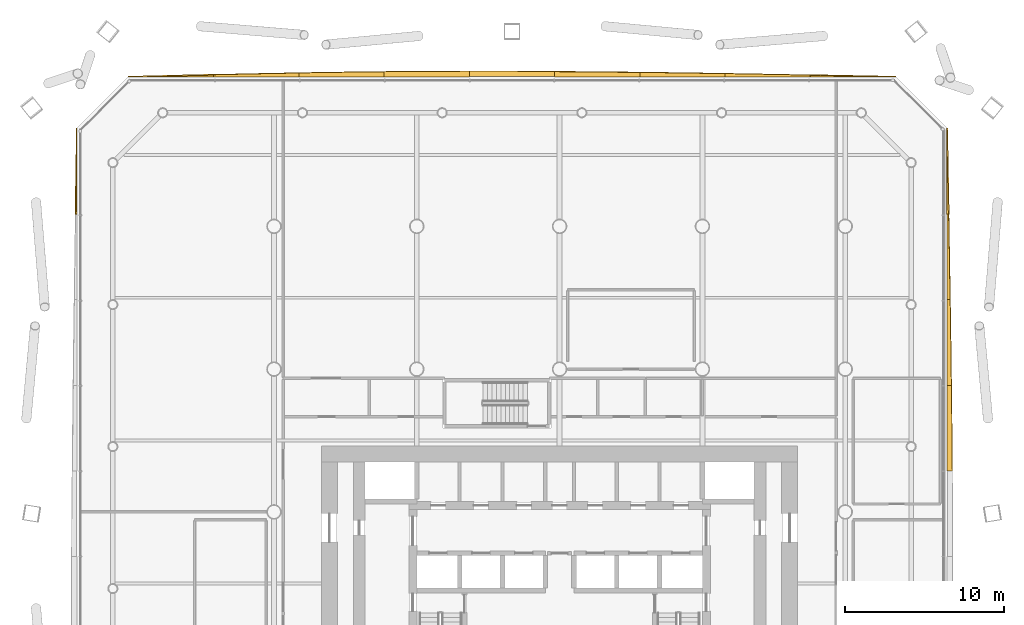
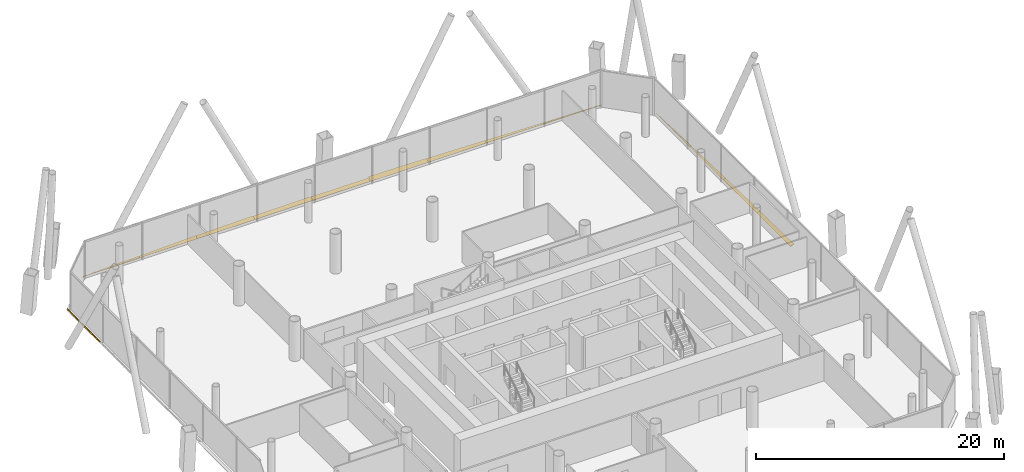
# One storey, part 25 of 25: 14 shading devices.
"""IFC4 building model written with IfcOpenShell, lengths in metres."""

from ifc_helpers import new_model, si_unit, direction, frame, origin, place, context, subcontext, project, spatial, polyline, outline, extrude, material, layer, layer_set, type_object, element, save


model = new_model("IFC4")

# Units and contexts
model_context = context("Model", 3, precision=1e-05, world=origin(), true_north=direction((0.0, 1.0)))
body_context = subcontext(model_context, "Body", "Model", "MODEL_VIEW")
ifc_project = project(units=[si_unit("LENGTHUNIT", "METRE"), si_unit("AREAUNIT", "SQUARE_METRE"), si_unit("VOLUMEUNIT", "CUBIC_METRE"), si_unit("PLANEANGLEUNIT", "RADIAN"), si_unit("MASSUNIT", "GRAM", prefix="KILO")], contexts=[model_context])

# Site, building, storey
site_placement = place(None, origin())
site = spatial("IfcSite", under=ifc_project, at=site_placement, CompositionType="ELEMENT")
building_placement = place(site_placement, origin())
building = spatial("IfcBuilding", under=site, at=building_placement, Name="Tskaro Facet Tower", CompositionType="ELEMENT")
storey_placement = place(building_placement, frame((0.0, 0.0, 22.5)))
storey = spatial("IfcBuildingStorey", under=building, at=storey_placement, Name="L04", CompositionType="ELEMENT", Elevation=22.5)

# Shading devices
ifc_material = material(Name="Bronze anodised aluminium 6063-T6", Category="aluminium")
ifc_layer = layer(ifc_material, 0.06005859375, Name="Bronze anodised aluminium 6063-T6")
ifc_layer_set = layer_set([ifc_layer], Name="Bronze anodised aluminium 6063-T6")
shading_device_type = type_object("IfcShadingDeviceType", Name="Bronze sun blade (FN1)", PredefinedType="USERDEFINED", material=ifc_layer_set)
shading_device_1_placement = place(storey_placement, frame((24.4267578125, 2.579345703125, 0.054443359375), z_axis=(-0.422683446147, 5.171985e-06, 0.90627738818), x_axis=(2.186112e-06, 0.999999999987, -4.687253e-06)))
element("IfcShadingDevice", 1, at=shading_device_1_placement, inside=storey, type_object=shading_device_type, Name="Fin blade east 6", ObjectType="FIN", PredefinedType="USERDEFINED", context=body_context, shape_type="SweptSolid", body=[
    extrude(outline(polyline([(0.0, 0.0), (5.397705078052808, 0.0), (5.397705078246394, -0.29523224083073296), (4.7229003912029075, -0.3040817050647743), (4.048339843716981, -0.31248865104286233), (3.3735351556829682, -0.32034988456427627), (2.698730468259586, -0.32788666475699274), (2.0241699215381117, -0.3348777324930352), (1.3493652348022702, -0.34154434690038005), (0.6748046876239883, -0.34776844305177174), (-1.0237930989257058e-10, -0.3534468267464893), (0.0, 0.0)])), origin(), (0.0, 0.0, -1.0), 0.06005859375),
])
shading_device_2_placement = place(storey_placement, frame((24.422119140625, 7.97705078125, 0.052001953125), z_axis=(-0.500079800262, -6.567288e-06, 0.865979326154), x_axis=(-3.284168e-06, 0.999999999978, 5.687136e-06)))
element("IfcShadingDevice", 2, at=shading_device_2_placement, inside=storey, type_object=shading_device_type, Name="Fin blade east 7", ObjectType="FIN", PredefinedType="USERDEFINED", context=body_context, shape_type="SweptSolid", body=[
    extrude(outline(polyline([(0.0, 0.0), (5.397705078008601, 2.286017020366861e-21), (5.397705078742596, -0.22193897432185267), (4.722900390102857, -0.2339602209605216), (4.048095702264918, -0.24577004686526155), (3.3735351566555716, -0.2571570313021437), (2.698730469032769, -0.26842192594403724), (2.024169922250098, -0.2791418893230844), (1.3493652342557705, -0.2895283421732141), (0.6745605464765797, -0.29936986376049746), (1.2418262546369335e-10, -0.3089999646138518), (0.0, 0.0)])), origin(), (0.0, 0.0, -1.0), 0.06005859375),
])
shading_device_3_placement = place(storey_placement, frame((24.41748046875, 13.374755859375, 0.049072265625), z_axis=(-0.573530627154, 1.3036289e-05, 0.819184118222), x_axis=(7.476711e-06, 0.999999999915, -1.0679121e-05)))
element("IfcShadingDevice", 3, at=shading_device_3_placement, inside=storey, type_object=shading_device_type, Name="Fin blade east 8", ObjectType="FIN", PredefinedType="USERDEFINED", context=body_context, shape_type="SweptSolid", body=[
    extrude(outline(polyline([(0.0, 0.0), (5.397460937041365, 0.0), (5.397460938217662, -0.12272477474861787), (4.722900389590802, -0.13742535915983892), (4.0480957029461715, -0.15198592144527817), (3.3735351569265206, -0.1665464837307174), (2.698730466631152, -0.18070705377089716), (2.0239257815501976, -0.19458757955951328), (1.349365235268854, -0.20826810922549965), (0.6745605465371621, -0.22174864276885628), (-7.877122050907717e-10, -0.23488915806380134), (0.0, 0.0)])), origin(), (0.0, 0.0, -1.0), 0.06005859375),
])
shading_device_4_placement = place(storey_placement, frame((24.413330078125, 18.772216796875, 0.0458984375), z_axis=(-0.642450653053, -1.3605234e-05, 0.766327056946), x_axis=(-8.740691e-06, 0.999999999907, 1.0426059e-05)))
element("IfcShadingDevice", 4, at=shading_device_4_placement, inside=storey, type_object=shading_device_type, Name="Fin blade east 9", ObjectType="FIN", PredefinedType="USERDEFINED", context=body_context, shape_type="SweptSolid", body=[
    extrude(outline(polyline([(0.0, 0.0), (5.397705077625436, 0.0), (4.723144529711779, -0.01681717840791408), (4.048339843307104, -0.03344726524917371), (3.3737792949819814, -0.04992050378645088), (2.6989746107112627, -0.06636349906105607), (2.0241699217611626, -0.08283673759833324), (1.3496093755699978, -0.09912288456895596), (0.6748046883423887, -0.11506509166894177), (-1.0191781910047397e-09, -0.13119439033558203), (0.0, 0.0)])), origin(), (0.0, 0.0, -1.0), 0.06005859375),
])
shading_device_5_placement = place(storey_placement, frame((21.169921875, 27.4267578125, 0.054443359375), z_axis=(8.625299e-06, -0.42287150272, 0.906189655708), x_axis=(-0.999999999963, -3.647393e-06, 7.816157e-06)))
element("IfcShadingDevice", 5, at=shading_device_5_placement, inside=storey, type_object=shading_device_type, Name="Fin blade north 1", ObjectType="FIN", PredefinedType="USERDEFINED", context=body_context, shape_type="SweptSolid", body=[
    extrude(outline(polyline([(0.0, 0.0), (5.371093749800207, 0.0), (5.3710937501976455, -0.11883329290669829), (4.699707031852334, -0.10430545380062704), (4.028320311598781, -0.08967437458158319), (3.3569335941439475, -0.07492529776659053), (2.6855468747808717, -0.06007298083862528), (2.0141601563082725, -0.0449994262017386), (1.3427734369451976, -0.030147109273773343), (0.6713867184725988, -0.015073554636886671), (0.0, 0.0)])), origin(), (0.0, 0.0, -1.0), 0.06005859375),
])
shading_device_6_placement = place(storey_placement, frame((15.798828125, 27.422119140625, 0.052001953125), z_axis=(-1.5953049e-05, -0.500027418205, 0.866009573151), x_axis=(-0.999999999873, 7.976962e-06, -1.3815493e-05)))
element("IfcShadingDevice", 6, at=shading_device_6_placement, inside=storey, type_object=shading_device_type, Name="Fin blade north 2", ObjectType="FIN", PredefinedType="USERDEFINED", context=body_context, shape_type="SweptSolid", body=[
    extrude(outline(polyline([(0.0, 0.0), (5.371093749316529, 0.0), (5.371093750774622, -0.23647346250194137), (4.699707030221036, -0.22357376688548924), (4.028320311092873, -0.21034056614415197), (3.356933591442632, -0.19656243215945762), (2.6855468751653135, -0.18266222116835), (2.014160156940495, -0.1685505820587705), (1.342773438193599, -0.15389400970583392), (0.6713867194467027, -0.13923743735289737), (-1.2476940370108804e-09, -0.12436943688148891), (0.0, 0.0)])), origin(), (0.0, 0.0, -1.0), 0.06005859375),
])
shading_device_7_placement = place(storey_placement, frame((10.427734375, 27.41748046875, 0.049072265625), z_axis=(1.1772246e-05, -0.573411099571, 0.819267789401), x_axis=(-0.999999999931, -6.750336e-06, 9.644622e-06)))
element("IfcShadingDevice", 7, at=shading_device_7_placement, inside=storey, type_object=shading_device_type, Name="Fin blade north 3", ObjectType="FIN", PredefinedType="USERDEFINED", context=body_context, shape_type="SweptSolid", body=[
    extrude(outline(polyline([(0.0, 0.0), (5.371093749627822, 4.549493369041652e-21), (5.371093751058603, -0.3442734073264016), (4.699707030228703, -0.33431303050931954), (4.028320311988256, -0.3236126110975148), (3.356933593041193, -0.31257218219130856), (2.6855468750355502, -0.3009917272405402), (2.0141601563232947, -0.28907126279537027), (1.342773438552458, -0.2766107723056383), (0.6713867177203645, -0.2636702793772637), (1.8433373274897284e-10, -0.2503297533485681), (0.0, 0.0)])), origin(), (0.0, 0.0, -1.0), 0.06005859375),
])
shading_device_8_placement = place(storey_placement, frame((5.056640625, 27.413330078125, 0.0458984375), z_axis=(9.610269e-06, -0.642746857251, 0.766078636565), x_axis=(-0.999999999954, -6.17697e-06, 7.362221e-06)))
element("IfcShadingDevice", 8, at=shading_device_8_placement, inside=storey, type_object=shading_device_type, Name="Fin blade north 4", ObjectType="FIN", PredefinedType="USERDEFINED", context=body_context, shape_type="SweptSolid", body=[
    extrude(outline(polyline([(0.0, 0.0), (5.37109374975197, 0.0), (5.371093750587429, -0.4325335401146696), (4.699707030254642, -0.42665625369491833), (4.028320312648588, -0.4200609539042972), (3.3569335947531633, -0.413121702577084), (2.685546874481586, -0.40533762755723346), (2.0141601554286903, -0.3970225700836519), (1.3427734373051066, -0.38783257861974724), (0.6713867188921558, -0.37829863561925053), (-9.953125307152795e-11, -0.36807678954556966), (0.0, 0.0)])), origin(), (0.0, 0.0, -1.0), 0.06005859375),
])
shading_device_9_placement = place(storey_placement, frame((-0.314453125, 27.431396484375, 0.056396484375), z_axis=(-1.6082301e-05, -0.341916411516, 0.939730369456), x_axis=(-0.999999999871, 5.498803e-06, -1.5113026e-05)))
element("IfcShadingDevice", 9, at=shading_device_9_placement, inside=storey, type_object=shading_device_type, Name="Fin blade north 5", ObjectType="FIN", PredefinedType="USERDEFINED", context=body_context, shape_type="SweptSolid", body=[
    extrude(outline(polyline([(0.0, 0.0), (5.37109374930541, 0.0), (5.371093751074444, -0.3701729682216225), (5.295898438584167, -0.3701729682216225), (4.699707031068786, -0.3699435418618624), (4.02832031206787, -0.3691717870961661), (3.356933594071696, -0.36785770392453365), (2.685546875737782, -0.3657718659872049), (2.0141601560613878, -0.36345660169011607), (1.3427734360472527, -0.360369582627331), (0.6713867170378599, -0.35674023515860964), (-9.66791598325857e-10, -0.35256855928395214), (0.0, 0.0)])), origin(), (0.0, 0.0, -1.0), 0.06005859375),
])
shading_device_10_placement = place(storey_placement, frame((-5.685546875, 27.4267578125, 0.054443359375), z_axis=(-1.4455571e-05, -0.422532044233, 0.906347985813), x_axis=(-0.999999999896, 6.107942e-06, -1.3101778e-05)))
element("IfcShadingDevice", 10, at=shading_device_10_placement, inside=storey, type_object=shading_device_type, Name="Fin blade north 6", ObjectType="FIN", PredefinedType="USERDEFINED", context=body_context, shape_type="SweptSolid", body=[
    extrude(outline(polyline([(0.0, 0.0), (5.371093749438819, 0.0), (5.371093751281547, -0.35388937123543796), (4.6997070314975, -0.36065916717758123), (4.028320310438539, -0.36666197679111123), (3.3569335945020153, -0.37169148560128296), (2.6855468740919015, -0.3760571653202138), (2.014160157313029, -0.37922826787203956), (1.3427734360605668, -0.3817355413326244), (0.6713867184393459, -0.38304823762610407), (-4.567889675350181e-10, -0.38359394759097043), (0.0, 0.0)])), origin(), (0.0, 0.0, -1.0), 0.06005859375),
])
shading_device_11_placement = place(storey_placement, frame((-11.056640625, 27.422119140625, 0.052001953125), z_axis=(2.238924e-05, -0.50012698678, 0.865952075229), x_axis=(-0.999999999749, -1.1197463e-05, 1.9388009e-05)))
element("IfcShadingDevice", 11, at=shading_device_11_placement, inside=storey, type_object=shading_device_type, Name="Fin blade north 7", ObjectType="FIN", PredefinedType="USERDEFINED", context=body_context, shape_type="SweptSolid", body=[
    extrude(outline(polyline([(0.0, 0.0), (5.371093748653795, 0.0), (5.371093749335469, -0.2830785000372893), (4.69970703206869, -0.29664521274596867), (4.028320310802622, -0.30954489466248436), (3.356933593004419, -0.3216882330210794), (2.685546873940683, -0.33295312650659137), (2.014160155611057, -0.3436730905151021), (1.3427734387496522, -0.35330319556961043), (0.6713867178889578, -0.362266269831955), (-4.237270845336539e-09, -0.37035089922121656), (0.0, 0.0)])), origin(), (0.0, 0.0, -1.0), 0.06005859375),
])
shading_device_12_placement = place(storey_placement, frame((-16.427734375, 27.41748046875, 0.049072265625), z_axis=(-9.635057e-06, -0.573457964323, 0.819234986473), x_axis=(-0.999999999954, 5.5253e-06, -7.893376e-06)))
element("IfcShadingDevice", 12, at=shading_device_12_placement, inside=storey, type_object=shading_device_type, Name="Fin blade north 8", ObjectType="FIN", PredefinedType="USERDEFINED", context=body_context, shape_type="SweptSolid", body=[
    extrude(outline(polyline([(0.0, 0.0), (5.371093749750689, 0.0), (5.371093749356919, -0.16214631764631168), (4.699707032178776, -0.18110705728696105), (4.028320312302732, -0.19966777984435286), (3.3569335930048307, -0.21788848947428846), (2.6855468748632165, -0.23542917324931156), (2.0141601559507962, -0.2524298355552497), (1.3427734381946625, -0.26875047200627544), (0.671386718318772, -0.28433107844658734), (-9.789752975202569e-10, -0.299571671959443), (0.0, 0.0)])), origin(), (0.0, 0.0, -1.0), 0.06005859375),
])
shading_device_13_placement = place(storey_placement, frame((-21.798828125, 27.413330078125, 0.0458984375), z_axis=(1.4402515e-05, -0.642743838287, 0.766081169418), x_axis=(-0.999999999896, -9.257128e-06, 1.1033496e-05)))
element("IfcShadingDevice", 13, at=shading_device_13_placement, inside=storey, type_object=shading_device_type, Name="Fin blade north 9", ObjectType="FIN", PredefinedType="USERDEFINED", context=body_context, shape_type="SweptSolid", body=[
    extrude(outline(polyline([(0.0, 0.0), (5.37109374944293, 0.0), (4.699707031489441, -0.02235048054874985), (4.028320310842229, -0.04454404121508912), (3.3569335924550576, -0.06655057034590658), (2.6855468763279267, -0.08837006794120228), (2.0141601575070713, -0.11003264565408738), (1.3427734359924914, -0.1315383034845619), (0.6713867189979936, -0.15266989824399285), (-1.123912299677718e-09, -0.1733006217030808), (0.0, 0.0)])), origin(), (0.0, 0.0, -1.0), 0.06005859375),
])
shading_device_14_placement = place(storey_placement, frame((-30.4267578125, 24.169921875, 0.054443359375), z_axis=(0.422354732712, 1.5784805e-05, 0.906430625865), x_axis=(6.666787e-06, -0.999999999875, 1.4307831e-05)))
element("IfcShadingDevice", 14, at=shading_device_14_placement, inside=storey, type_object=shading_device_type, Name="Fin blade west 1", ObjectType="FIN", PredefinedType="USERDEFINED", context=body_context, shape_type="SweptSolid", body=[
    extrude(outline(polyline([(0.0, 0.0), (5.397705077452554, -4.572034040733722e-21), (5.3977050787874425, -0.09404006589527424), (4.722900391497299, -0.0824620357262417), (4.048095704207155, -0.07088400555720917), (3.373535155676491, -0.05898156490020228), (2.6987304683863473, -0.04740353473116975), (2.0239257792307144, -0.03550109407416287), (1.3493652341931737, -0.023701767365584873), (0.6745605450375407, -0.01179932670857799), (0.0, 0.0)])), origin(), (0.0, 0.0, -1.0), 0.06005859375),
])

save(model, "model.ifc")
